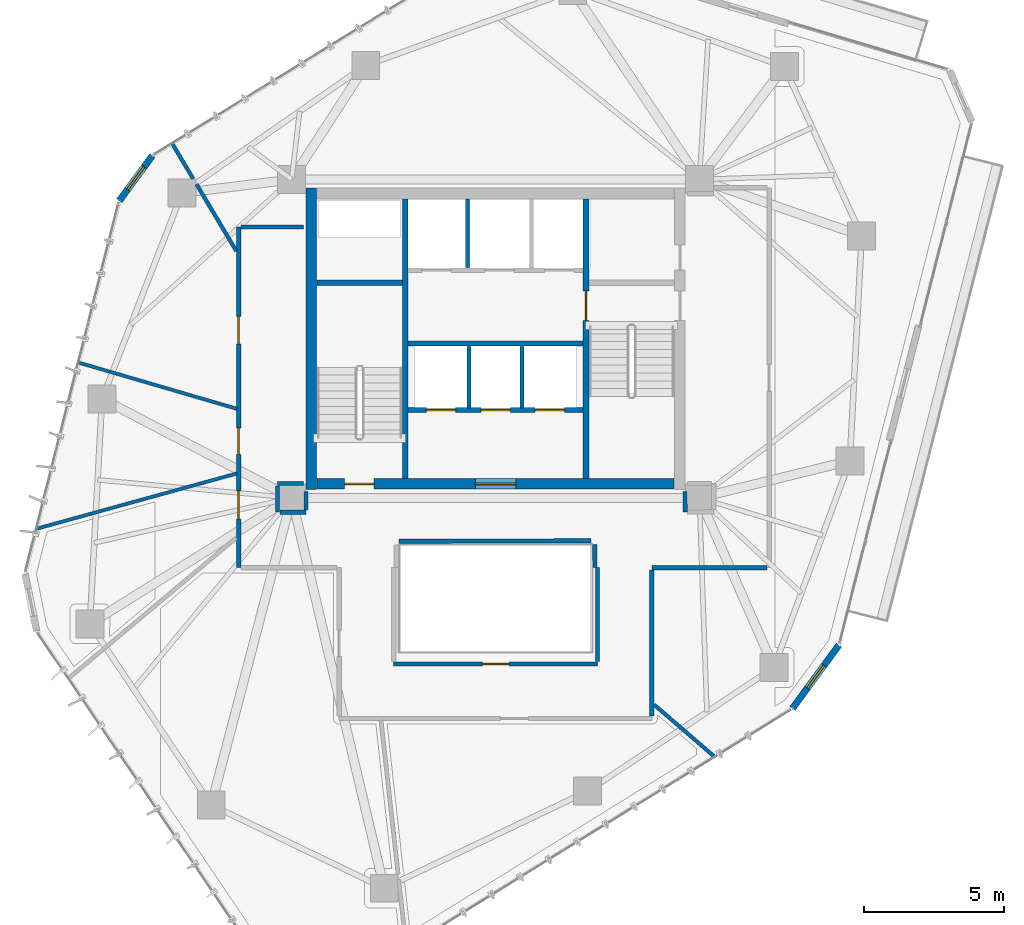
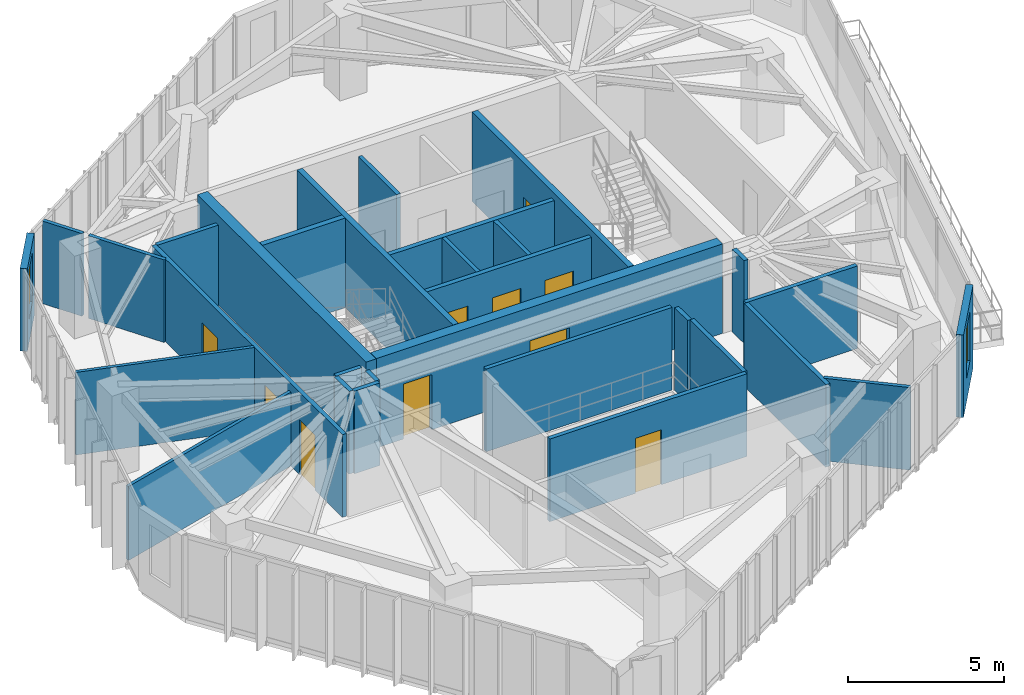
# One storey, part 16 of 21: 30 walls, 10 doors, 2 windows, 12 openings.
"""IFC4 building model written with IfcOpenShell, lengths in metres."""

from ifc_helpers import new_model, si_unit, direction, frame, frame_2d, origin, place, context, subcontext, project, spatial, rectangle, extrude, source, transform, mapped, material, layer, layer_set, type_object, type_shapes, element, fill, save


model = new_model("IFC4")

# Units and contexts
model_context = context("Model", 3, precision=1e-05, world=origin(), true_north=direction((0.0, 1.0)))
body_context = subcontext(model_context, "Body", "Model", "MODEL_VIEW")
ifc_project = project(units=[si_unit("LENGTHUNIT", "METRE"), si_unit("AREAUNIT", "SQUARE_METRE"), si_unit("VOLUMEUNIT", "CUBIC_METRE"), si_unit("PLANEANGLEUNIT", "RADIAN"), si_unit("MASSUNIT", "GRAM", prefix="KILO")], contexts=[model_context])

# Site, building, storey
site_placement = place(None, origin())
site = spatial("IfcSite", under=ifc_project, at=site_placement, CompositionType="ELEMENT")
building_placement = place(site_placement, origin())
building = spatial("IfcBuilding", under=site, at=building_placement, Name="Talar Marvaseh", CompositionType="ELEMENT")
storey_placement = place(building_placement, frame((0.0, 0.0, 184.5)))
storey = spatial("IfcBuildingStorey", under=building, at=storey_placement, Name="L48", CompositionType="ELEMENT", Elevation=184.5)

# Wall, opening, window
ifc_material_1 = material(Name="Precast concrete C45/55", Category="concrete")
ifc_layer_1 = layer(ifc_material_1, 0.239990234375)
ifc_layer_set_1 = layer_set([ifc_layer_1], Name="Precast concrete C45/55")
wall_type_1 = type_object("IfcWallType", Name="Chamfered Hexagonal Corner Pier Wall Z3 240", PredefinedType="SOLIDWALL", material=ifc_layer_set_1)
wall_1_placement = place(storey_placement, frame((12.524658203125, 36.138671875, 0.0), z_axis=(0.0, 0.0, 1.0), x_axis=(0.591384799508, 0.806389495784, 0.0)))
wall_1 = element("IfcWall", 1, at=wall_1_placement, inside=storey, type_object=wall_type_1, Name="L48 Chamfered Corner Limestone Pier 3", PredefinedType="SOLIDWALL", context=body_context, shape_type="SweptSolid", body=[
    extrude(rectangle(XDim=2.0029296875, YDim=0.239990234375, at=frame_2d((1.00146484375, 0.0))), origin(), (0.0, 0.0, 1.0), 3.22998046875),
])
opening_1_placement = place(wall_1_placement, frame((0.501953125, 0.0, 0.89990234375)))
opening_1 = element("IfcOpeningElement", 2, at=opening_1_placement, cuts=wall_1, Name="Opening WN-CHM10", PredefinedType="OPENING", context=body_context, shape_type="SweptSolid", body=[
    extrude(rectangle(XDim=1.0, YDim=1.949951171875, at=frame_2d((0.5, 0.97509765625))), frame((0.0, 0.1298828125, 0.0), z_axis=(0.0, -1.0, 0.0), x_axis=(1.0, 0.0, 0.0)), (0.0, 0.0, 1.0), 0.260009765625),
])
ifc_material_2 = material(Name="Laminated Low-E Solar Glass", Category="glass")
window_type = type_object("IfcWindowType", Name="Zone 3 Chamfered Corner Slot Window 1000x1950", PartitioningType="SINGLE_PANEL", PredefinedType="WINDOW", material=ifc_material_2)
shared_shape_1 = source(origin(), body_context, "Body", "SweptSolid", [
    extrude(rectangle(XDim=1.0, YDim=1.949951171875, at=frame_2d((0.5, 0.97509765625))), frame((0.0, 0.030029296875, 0.0), z_axis=(0.0, -1.0, 0.0), x_axis=(1.0, 0.0, 0.0)), (0.0, 0.0, 1.0), 0.06005859375),
])
type_shapes(window_type, [shared_shape_1])
window_1_placement = place(opening_1_placement, origin())
window_1 = element("IfcWindow", 3, at=window_1_placement, inside=storey, type_object=window_type, Name="L48 Chamfered Corner Slot Window", OverallHeight=1.949951171875, OverallWidth=1.0, PartitioningType="SINGLE_PANEL", PredefinedType="WINDOW", context=body_context, shape_type="MappedRepresentation", body=[
    mapped(shared_shape_1, transform((0.0, 0.0, 0.0), x_axis=(1.0, 0.0, 0.0), y_axis=(0.0, 1.0, 0.0), z_axis=(0.0, 0.0, 1.0), scale=1.0)),
])
fill(opening_1, window_1)

wall_2_placement = place(storey_placement, frame((38.30029296875, 20.2265625, 0.0), z_axis=(0.0, 0.0, 1.0), x_axis=(-0.591348625249, -0.806416023785, 0.0)))
wall_2 = element("IfcWall", 4, at=wall_2_placement, inside=storey, type_object=wall_type_1, Name="L48 Chamfered Corner Limestone Pier 6", PredefinedType="SOLIDWALL", context=body_context, shape_type="SweptSolid", body=[
    extrude(rectangle(XDim=2.815185546875, YDim=0.239990234375, at=frame_2d((1.40771484375, 0.0))), origin(), (0.0, 0.0, 1.0), 3.22998046875),
])
opening_2_placement = place(wall_2_placement, frame((0.907958984375, 0.0, 0.89990234375)))
opening_2 = element("IfcOpeningElement", 5, at=opening_2_placement, cuts=wall_2, Name="Opening WN-CHM10", PredefinedType="OPENING", context=body_context, shape_type="SweptSolid", body=[
    extrude(rectangle(XDim=1.0, YDim=1.949951171875, at=frame_2d((0.5, 0.97509765625))), frame((0.0, 0.1298828125, 0.0), z_axis=(0.0, -1.0, 0.0), x_axis=(1.0, 0.0, 0.0)), (0.0, 0.0, 1.0), 0.260009765625),
])
window_2_placement = place(opening_2_placement, origin())
window_2 = element("IfcWindow", 6, at=window_2_placement, inside=storey, type_object=window_type, Name="L48 Chamfered Corner Slot Window", OverallHeight=1.949951171875, OverallWidth=1.0, PartitioningType="SINGLE_PANEL", PredefinedType="WINDOW", context=body_context, shape_type="MappedRepresentation", body=[
    mapped(shared_shape_1, transform((0.0, 0.0, 0.0), x_axis=(1.0, 0.0, 0.0), y_axis=(0.0, 1.0, 0.0), z_axis=(0.0, 0.0, 1.0), scale=1.0)),
])
fill(opening_2, window_2)

# Wall, openings, doors
ifc_material_3 = material(Name="Gypsum Board Partition Assembly")
ifc_layer_2 = layer(ifc_material_3, 0.155029296875)
ifc_layer_set_2 = layer_set([ifc_layer_2], Name="Gypsum Board Partition Assembly")
wall_type_2 = type_object("IfcWallType", Name="Corridor Fire-Rated Acoustic Partition 155", PredefinedType="PARTITIONING", material=ifc_layer_set_2)
wall_3_placement = place(storey_placement, frame((16.800048828125, 23.0, 0.0), z_axis=(0.0, 0.0, 1.0), x_axis=(0.0, 1.0, 0.0)))
wall_3 = element("IfcWall", 7, at=wall_3_placement, inside=storey, type_object=wall_type_2, Name="L48 Interior Partition Wall", PredefinedType="PARTITIONING", context=body_context, shape_type="SweptSolid", body=[
    extrude(rectangle(XDim=12.199951171875, YDim=0.155029296875, at=frame_2d((6.10009765625, 0.0))), origin(), (0.0, 0.0, 1.0), 3.22998046875),
])
opening_3_placement = place(wall_3_placement, frame((4.056640625, 0.0, 0.0)))
opening_3 = element("IfcOpeningElement", 8, at=opening_3_placement, cuts=wall_3, Name="Opening DR-WC095", PredefinedType="OPENING", context=body_context, shape_type="SweptSolid", body=[
    extrude(rectangle(XDim=0.949951171875, YDim=2.14990234375, at=frame_2d((0.47509765625, 1.074951171875))), frame((0.0, 0.08740234375, 0.0), z_axis=(0.0, -1.0, 0.0), x_axis=(1.0, 0.0, 0.0)), (0.0, 0.0, 1.0), 0.175048828125),
])
opening_4_placement = place(wall_3_placement, frame((1.746826171875, 0.0, 0.0)))
opening_4 = element("IfcOpeningElement", 9, at=opening_4_placement, cuts=wall_3, Name="Opening DR-RM100", PredefinedType="OPENING", context=body_context, shape_type="SweptSolid", body=[
    extrude(rectangle(XDim=1.0, YDim=2.14990234375, at=frame_2d((0.5, 1.074951171875))), frame((0.0, 0.08740234375, 0.0), z_axis=(0.0, -1.0, 0.0), x_axis=(1.0, 0.0, 0.0)), (0.0, 0.0, 1.0), 0.175048828125),
])
opening_5_placement = place(wall_3_placement, frame((8.001220703125, 0.0, 0.0)))
opening_5 = element("IfcOpeningElement", 10, at=opening_5_placement, cuts=wall_3, Name="Opening DR-RM100", PredefinedType="OPENING", context=body_context, shape_type="SweptSolid", body=[
    extrude(rectangle(XDim=1.0, YDim=2.14990234375, at=frame_2d((0.5, 1.074951171875))), frame((0.0, 0.08740234375, 0.0), z_axis=(0.0, -1.0, 0.0), x_axis=(1.0, 0.0, 0.0)), (0.0, 0.0, 1.0), 0.175048828125),
])
ifc_material_4 = material(Name="Acoustic Engineered Oak Timber", Category="wood")
door_type_1 = type_object("IfcDoorType", Name="Washroom and Service Room Door 950x2150", OperationType="NOTDEFINED", PredefinedType="DOOR", material=ifc_material_4)
shared_shape_2 = source(origin(), body_context, "Body", "SweptSolid", [
    extrude(rectangle(XDim=0.949951171875, YDim=2.14990234375, at=frame_2d((0.47509765625, 1.074951171875))), frame((0.0, 0.02490234375, 0.0), z_axis=(0.0, -1.0, 0.0), x_axis=(1.0, 0.0, 0.0)), (0.0, 0.0, 1.0), 0.050048828125),
])
type_shapes(door_type_1, [shared_shape_2])
door_1_placement = place(opening_3_placement, origin())
door_1 = element("IfcDoor", 11, at=door_1_placement, inside=storey, type_object=door_type_1, Name="L48 Accessible WC Door", OperationType="SINGLE_SWING_LEFT", OverallHeight=2.14990234375, OverallWidth=0.949951171875, PredefinedType="DOOR", context=body_context, shape_type="MappedRepresentation", body=[
    mapped(shared_shape_2, transform((0.0, 0.0, 0.0), x_axis=(1.0, 0.0, 0.0), y_axis=(0.0, 1.0, 0.0), z_axis=(0.0, 0.0, 1.0), scale=1.0)),
])
fill(opening_3, door_1)
door_type_2 = type_object("IfcDoorType", Name="Corridor Fire-Rated Gallery Door 1000x2150", OperationType="NOTDEFINED", PredefinedType="DOOR", material=ifc_material_4)
shared_shape_3 = source(origin(), body_context, "Body", "SweptSolid", [
    extrude(rectangle(XDim=1.0, YDim=2.14990234375, at=frame_2d((0.5, 1.074951171875))), frame((0.0, 0.02490234375, 0.0), z_axis=(0.0, -1.0, 0.0), x_axis=(1.0, 0.0, 0.0)), (0.0, 0.0, 1.0), 0.050048828125),
])
type_shapes(door_type_2, [shared_shape_3])
door_2_placement = place(opening_4_placement, origin())
door_2 = element("IfcDoor", 12, at=door_2_placement, inside=storey, type_object=door_type_2, Name="L48 Seminar Room Door", OperationType="SINGLE_SWING_RIGHT", OverallHeight=2.14990234375, OverallWidth=1.0, PredefinedType="DOOR", context=body_context, shape_type="MappedRepresentation", body=[
    mapped(shared_shape_3, transform((0.0, 0.0, 0.0), x_axis=(1.0, 0.0, 0.0), y_axis=(0.0, 1.0, 0.0), z_axis=(0.0, 0.0, 1.0), scale=1.0)),
])
fill(opening_4, door_2)
door_3_placement = place(opening_5_placement, origin())
door_3 = element("IfcDoor", 13, at=door_3_placement, inside=storey, type_object=door_type_2, Name="L48 Conservation Briefing Room Door", OperationType="SINGLE_SWING_LEFT", OverallHeight=2.14990234375, OverallWidth=1.0, PredefinedType="DOOR", context=body_context, shape_type="MappedRepresentation", body=[
    mapped(shared_shape_3, transform((0.0, 0.0, 0.0), x_axis=(1.0, 0.0, 0.0), y_axis=(0.0, 1.0, 0.0), z_axis=(0.0, 0.0, 1.0), scale=1.0)),
])
fill(opening_5, door_3)

# Wall, opening, door
wall_4_placement = place(storey_placement, frame((22.35009765625, 19.550048828125, 0.0), z_axis=(0.0, 0.0, 1.0), x_axis=(1.0, 0.0, 0.0)))
wall_4 = element("IfcWall", 14, at=wall_4_placement, inside=storey, type_object=wall_type_2, Name="L48 Interior Partition Wall", PredefinedType="PARTITIONING", context=body_context, shape_type="SweptSolid", body=[
    extrude(rectangle(XDim=7.2998046875, YDim=0.155029296875, at=frame_2d((3.64990234375, 0.0))), origin(), (0.0, 0.0, 1.0), 3.22998046875),
])
opening_6_placement = place(wall_4_placement, frame((3.175048828125, 0.0, 0.0)))
opening_6 = element("IfcOpeningElement", 15, at=opening_6_placement, cuts=wall_4, Name="Opening DR-WC095", PredefinedType="OPENING", context=body_context, shape_type="SweptSolid", body=[
    extrude(rectangle(XDim=0.949951171875, YDim=2.14990234375, at=frame_2d((0.47509765625, 1.074951171875))), frame((0.0, 0.08740234375, 0.0), z_axis=(0.0, -1.0, 0.0), x_axis=(1.0, 0.0, 0.0)), (0.0, 0.0, 1.0), 0.175048828125),
])
door_4_placement = place(opening_6_placement, origin())
door_4 = element("IfcDoor", 16, at=door_4_placement, inside=storey, type_object=door_type_1, Name="L48 WC Public Washrooms Door", OperationType="SINGLE_SWING_RIGHT", OverallHeight=2.14990234375, OverallWidth=0.949951171875, PredefinedType="DOOR", context=body_context, shape_type="MappedRepresentation", body=[
    mapped(shared_shape_2, transform((0.0, 0.0, 0.0), x_axis=(1.0, 0.0, 0.0), y_axis=(0.0, 1.0, 0.0), z_axis=(0.0, 0.0, 1.0), scale=1.0)),
])
fill(opening_6, door_4)

# Walls
wall_5_placement = place(storey_placement, frame((16.883544921875, 35.199951171875, 0.0), z_axis=(0.0, 0.0, 1.0), x_axis=(1.0, 0.0, 0.0)))
element("IfcWall", 17, at=wall_5_placement, inside=storey, type_object=wall_type_2, Name="L48 Interior Partition Wall", PredefinedType="PARTITIONING", context=body_context, shape_type="SweptSolid", body=[
    extrude(rectangle(XDim=2.246337890625, YDim=0.155029296875, at=frame_2d((1.123046875, 0.0))), origin(), (0.0, 0.0, 1.0), 3.22998046875),
])
wall_6_placement = place(storey_placement, frame((19.1298828125, 26.0146484375, 0.0), z_axis=(0.0, 0.0, 1.0), x_axis=(-0.99999026157, -0.004413248818, 0.0)))
element("IfcWall", 18, at=wall_6_placement, inside=storey, type_object=wall_type_2, Name="L48 Interior Partition Wall", PredefinedType="PARTITIONING", context=body_context, shape_type="SweptSolid", body=[
    extrude(rectangle(XDim=0.9404296875, YDim=0.155029296875, at=frame_2d((0.47021484375, 0.0))), origin(), (0.0, 0.0, 1.0), 3.22998046875),
])
wall_7_placement = place(storey_placement, frame((18.189697265625, 25.927001953125, 0.0), z_axis=(0.0, 0.0, 1.0), x_axis=(0.002078997586, -0.999997838882, 0.0)))
element("IfcWall", 19, at=wall_7_placement, inside=storey, type_object=wall_type_2, Name="L48 Interior Partition Wall", PredefinedType="PARTITIONING", context=body_context, shape_type="SweptSolid", body=[
    extrude(rectangle(XDim=0.939453125, YDim=0.155029296875, at=frame_2d((0.4697265625, 0.0))), origin(), (0.0, 0.0, 1.0), 3.22998046875),
])
wall_8_placement = place(storey_placement, frame((18.275146484375, 24.987548828125, 0.0), z_axis=(0.0, 0.0, 1.0), x_axis=(0.999999692748, 0.0007839036, 0.0)))
element("IfcWall", 20, at=wall_8_placement, inside=storey, type_object=wall_type_2, Name="L48 Interior Partition Wall", PredefinedType="PARTITIONING", context=body_context, shape_type="SweptSolid", body=[
    extrude(rectangle(XDim=0.934326171875, YDim=0.155029296875, at=frame_2d((0.46728515625, 0.0))), origin(), (0.0, 0.0, 1.0), 3.22998046875),
])
wall_9_placement = place(storey_placement, frame((19.210205078125, 25.072021484375, 0.0), z_axis=(0.0, 0.0, 1.0), x_axis=(0.007420945932, 0.999972464402, 0.0)))
element("IfcWall", 21, at=wall_9_placement, inside=storey, type_object=wall_type_2, Name="L48 Interior Partition Wall", PredefinedType="PARTITIONING", context=body_context, shape_type="SweptSolid", body=[
    extrude(rectangle(XDim=0.657958984375, YDim=0.155029296875, at=frame_2d((0.3291015625, 0.0))), origin(), (0.0, 0.0, 1.0), 3.22998046875),
])
wall_10_placement = place(storey_placement, frame((32.784912109375, 25.72998046875, 0.0), z_axis=(0.0, 0.0, 1.0), x_axis=(0.007570553288, -0.999971342951, 0.0)))
element("IfcWall", 22, at=wall_10_placement, inside=storey, type_object=wall_type_2, Name="L48 Interior Partition Wall", PredefinedType="PARTITIONING", context=body_context, shape_type="SweptSolid", body=[
    extrude(rectangle(XDim=0.74169921875, YDim=0.155029296875, at=frame_2d((0.370849609375, 0.0))), origin(), (0.0, 0.0, 1.0), 3.22998046875),
])
wall_11_placement = place(storey_placement, frame((35.716552734375, 23.0, 0.0), z_axis=(0.0, 0.0, 1.0), x_axis=(-1.0, 0.0, 0.0)))
element("IfcWall", 23, at=wall_11_placement, inside=storey, type_object=wall_type_2, Name="L48 Interior Partition Wall", PredefinedType="PARTITIONING", context=body_context, shape_type="SweptSolid", body=[
    extrude(rectangle(XDim=4.116455078125, YDim=0.155029296875, at=frame_2d((2.05810546875, 0.0))), origin(), (0.0, 0.0, 1.0), 3.22998046875),
])
wall_12_placement = place(storey_placement, frame((31.60009765625, 22.91650390625, 0.0), z_axis=(0.0, 0.0, 1.0), x_axis=(0.0, -1.0, 0.0)))
element("IfcWall", 24, at=wall_12_placement, inside=storey, type_object=wall_type_2, Name="L48 Interior Partition Wall", PredefinedType="PARTITIONING", context=body_context, shape_type="SweptSolid", body=[
    extrude(rectangle(XDim=5.23291015625, YDim=0.155029296875, at=frame_2d((2.616455078125, 0.0))), origin(), (0.0, 0.0, 1.0), 3.22998046875),
])
wall_13_placement = place(storey_placement, frame((29.415771484375, 23.959228515625, 0.0), z_axis=(0.0, 0.0, 1.0), x_axis=(-0.999998607957, -0.001668557745, 0.0)))
element("IfcWall", 25, at=wall_13_placement, inside=storey, type_object=wall_type_2, Name="L48 Interior Partition Wall", PredefinedType="PARTITIONING", context=body_context, shape_type="SweptSolid", body=[
    extrude(rectangle(XDim=6.876953125, YDim=0.155029296875, at=frame_2d((3.4384765625, 0.0))), origin(), (0.0, 0.0, 1.0), 3.22998046875),
])
wall_14_placement = place(storey_placement, frame((29.64990234375, 19.633544921875, 0.0), z_axis=(0.0, 0.0, 1.0), x_axis=(0.0, 1.0, 0.0)))
element("IfcWall", 26, at=wall_14_placement, inside=storey, type_object=wall_type_2, Name="L48 Interior Partition Wall", PredefinedType="PARTITIONING", context=body_context, shape_type="SweptSolid", body=[
    extrude(rectangle(XDim=3.366455078125, YDim=0.155029296875, at=frame_2d((1.68310546875, 0.0))), origin(), (0.0, 0.0, 1.0), 3.22998046875),
])
wall_15_placement = place(storey_placement, frame((29.56005859375, 23.0, 0.0), z_axis=(0.0, 0.0, 1.0), x_axis=(-0.003817887006, 0.999992711843, 0.0)))
element("IfcWall", 27, at=wall_15_placement, inside=storey, type_object=wall_type_2, Name="L48 Interior Partition Wall", PredefinedType="PARTITIONING", context=body_context, shape_type="SweptSolid", body=[
    extrude(rectangle(XDim=0.831298828125, YDim=0.155029296875, at=frame_2d((0.41552734375, 0.0))), origin(), (0.0, 0.0, 1.0), 3.22998046875),
])
ifc_layer_3 = layer(ifc_material_3, 0.1201171875)
ifc_layer_set_3 = layer_set([ifc_layer_3], Name="Gypsum Board Partition Assembly")
wall_type_3 = type_object("IfcWallType", Name="Demountable Studio Room Partition 120", PredefinedType="PARTITIONING", material=ifc_layer_set_3)
wall_16_placement = place(storey_placement, frame((16.7373046875, 26.372802734375, 0.0), z_axis=(0.0, 0.0, 1.0), x_axis=(-0.963964727763, -0.26603008031, 0.0)))
element("IfcWall", 28, at=wall_16_placement, inside=storey, type_object=wall_type_3, Name="L48 Interior Partition Wall", PredefinedType="PARTITIONING", context=body_context, shape_type="SweptSolid", body=[
    extrude(rectangle(XDim=7.429931640625, YDim=0.1201171875, at=frame_2d((3.71484375, 0.0))), origin(), (0.0, 0.0, 1.0), 2.89208984375),
])
wall_17_placement = place(storey_placement, frame((11.08056640625, 30.339599609375, 0.0), z_axis=(0.0, 0.0, 1.0), x_axis=(0.959935478932, -0.280221120344, 0.0)))
element("IfcWall", 29, at=wall_17_placement, inside=storey, type_object=wall_type_3, Name="L48 Interior Partition Wall", PredefinedType="PARTITIONING", context=body_context, shape_type="SweptSolid", body=[
    extrude(rectangle(XDim=5.89306640625, YDim=0.1201171875, at=frame_2d((2.946533203125, 0.0))), origin(), (0.0, 0.0, 1.0), 3.22998046875),
])
ifc_layer_4 = layer(ifc_material_1, 0.14501953125)
ifc_layer_set_4 = layer_set([ifc_layer_4], Name="Precast concrete C45/55")
wall_type_4 = type_object("IfcWallType", Name="Fire-Rated Lift Divider Wall 145", PredefinedType="SOLIDWALL", material=ifc_layer_set_4)
wall_18_placement = place(storey_placement, frame((25.0, 33.743408203125, 0.0), z_axis=(0.0, 0.0, 1.0), x_axis=(0.0, 1.0, 0.0)))
element("IfcWall", 30, at=wall_18_placement, inside=storey, type_object=wall_type_4, Name="L48 FFL-1/FFL-2 Divider", PredefinedType="SOLIDWALL", context=body_context, shape_type="SweptSolid", body=[
    extrude(rectangle(XDim=2.45654296875, YDim=0.14501953125, at=frame_2d((1.228271484375, 0.0))), origin(), (0.0, 0.0, 1.0), 3.22998046875),
])
for number, where, z_axis, x_axis, name in (
    (31, (25.050048828125, 28.719970703125, 0.0), (0.0, 0.0, 1.0), (0.0, 1.0, 0.0), "L48 PL-H1/PL-H2 Divider"),
    (32, (26.949951171875, 28.719970703125, 0.0), (0.0, 0.0, 1.0), (0.0, 1.0, 0.0), "L48 PL-H2/PL-H3 Divider"),
):
    element("IfcWall", number, at=place(storey_placement, frame(where, z_axis=z_axis, x_axis=x_axis)), inside=storey, type_object=wall_type_4, Name=name, PredefinedType="SOLIDWALL", context=body_context, shape_type="SweptSolid", body=[
        extrude(rectangle(XDim=2.20654296875, YDim=0.14501953125, at=frame_2d((1.103271484375, 0.0))), origin(), (0.0, 0.0, 1.0), 3.22998046875),
    ])
ifc_layer_5 = layer(ifc_material_1, 0.175048828125)
ifc_layer_set_5 = layer_set([ifc_layer_5], Name="Precast concrete C45/55")
wall_type_5 = type_object("IfcWallType", Name="Fire-Rated Lift Hoistway Enclosure Wall 175", PredefinedType="SOLIDWALL", material=ifc_layer_set_5)
wall_19_placement = place(storey_placement, frame((22.860107421875, 31.02001953125, 0.0), z_axis=(0.0, 0.0, 1.0), x_axis=(1.0, 0.0, 0.0)))
element("IfcWall", 33, at=wall_19_placement, inside=storey, type_object=wall_type_5, Name="L48 Firefighting Lobby South Smoke Wall", PredefinedType="SOLIDWALL", context=body_context, shape_type="SweptSolid", body=[
    extrude(rectangle(XDim=6.27978515625, YDim=0.175048828125, at=frame_2d((3.139892578125, 0.0))), origin(), (0.0, 0.0, 1.0), 3.22998046875),
])

# Wall, openings, doors
wall_20_placement = place(storey_placement, frame((22.860107421875, 28.639892578125, 0.0), z_axis=(0.0, 0.0, 1.0), x_axis=(1.0, 0.0, 0.0)))
wall_20 = element("IfcWall", 34, at=wall_20_placement, inside=storey, type_object=wall_type_5, Name="L48 High-Rise Lift Bank Front Wall", PredefinedType="SOLIDWALL", context=body_context, shape_type="SweptSolid", body=[
    extrude(rectangle(XDim=6.27978515625, YDim=0.175048828125, at=frame_2d((3.139892578125, 0.0))), origin(), (0.0, 0.0, 1.0), 3.22998046875),
])
opening_7_placement = place(wall_20_placement, frame((0.659912109375, 0.0, 0.0)))
opening_7 = element("IfcOpeningElement", 35, at=opening_7_placement, cuts=wall_20, Name="Opening LD-PLH1", PredefinedType="OPENING", context=body_context, shape_type="SweptSolid", body=[
    extrude(rectangle(XDim=1.050048828125, YDim=2.14990234375, at=frame_2d((0.52490234375, 1.074951171875))), frame((0.0, 0.09765625, 0.0), z_axis=(0.0, -1.0, 0.0), x_axis=(1.0, 0.0, 0.0)), (0.0, 0.0, 1.0), 0.195068359375),
])
opening_8_placement = place(wall_20_placement, frame((2.6201171875, 0.0, 0.0)))
opening_8 = element("IfcOpeningElement", 36, at=opening_8_placement, cuts=wall_20, Name="Opening LD-PLH2", PredefinedType="OPENING", context=body_context, shape_type="SweptSolid", body=[
    extrude(rectangle(XDim=1.050048828125, YDim=2.14990234375, at=frame_2d((0.52490234375, 1.074951171875))), frame((0.0, 0.09765625, 0.0), z_axis=(0.0, -1.0, 0.0), x_axis=(1.0, 0.0, 0.0)), (0.0, 0.0, 1.0), 0.195068359375),
])
opening_9_placement = place(wall_20_placement, frame((4.56005859375, 0.0, 0.0)))
opening_9 = element("IfcOpeningElement", 37, at=opening_9_placement, cuts=wall_20, Name="Opening LD-PLH3", PredefinedType="OPENING", context=body_context, shape_type="SweptSolid", body=[
    extrude(rectangle(XDim=1.050048828125, YDim=2.14990234375, at=frame_2d((0.52490234375, 1.074951171875))), frame((0.0, 0.09765625, 0.0), z_axis=(0.0, -1.0, 0.0), x_axis=(1.0, 0.0, 0.0)), (0.0, 0.0, 1.0), 0.195068359375),
])
ifc_material_5 = material(Name="Stainless Steel Grade 316", Category="steel")
door_type_3 = type_object("IfcDoorType", Name="Automatic Sliding Lift Landing Door 1050x2150", OperationType="NOTDEFINED", PredefinedType="DOOR", material=ifc_material_5)
shared_shape_4 = source(origin(), body_context, "Body", "SweptSolid", [
    extrude(rectangle(XDim=1.050048828125, YDim=2.14990234375, at=frame_2d((0.52490234375, 1.074951171875))), frame((0.0, 0.02490234375, 0.0), z_axis=(0.0, -1.0, 0.0), x_axis=(1.0, 0.0, 0.0)), (0.0, 0.0, 1.0), 0.050048828125),
])
type_shapes(door_type_3, [shared_shape_4])
door_5_placement = place(opening_7_placement, origin())
door_5 = element("IfcDoor", 38, at=door_5_placement, inside=storey, type_object=door_type_3, Name="L48 Lift PL-H1 Sliding Landing Door", OperationType="SLIDING_TO_LEFT", OverallHeight=2.14990234375, OverallWidth=1.050048828125, PredefinedType="DOOR", context=body_context, shape_type="MappedRepresentation", body=[
    mapped(shared_shape_4, transform((0.0, 0.0, 0.0), x_axis=(1.0, 0.0, 0.0), y_axis=(0.0, 1.0, 0.0), z_axis=(0.0, 0.0, 1.0), scale=1.0)),
])
fill(opening_7, door_5)
door_6_placement = place(opening_8_placement, origin())
door_6 = element("IfcDoor", 39, at=door_6_placement, inside=storey, type_object=door_type_3, Name="L48 Lift PL-H2 Sliding Landing Door", OperationType="SLIDING_TO_LEFT", OverallHeight=2.14990234375, OverallWidth=1.050048828125, PredefinedType="DOOR", context=body_context, shape_type="MappedRepresentation", body=[
    mapped(shared_shape_4, transform((0.0, 0.0, 0.0), x_axis=(1.0, 0.0, 0.0), y_axis=(0.0, 1.0, 0.0), z_axis=(0.0, 0.0, 1.0), scale=1.0)),
])
fill(opening_8, door_6)
door_7_placement = place(opening_9_placement, origin())
door_7 = element("IfcDoor", 40, at=door_7_placement, inside=storey, type_object=door_type_3, Name="L48 Lift PL-H3 Sliding Landing Door", OperationType="SLIDING_TO_LEFT", OverallHeight=2.14990234375, OverallWidth=1.050048828125, PredefinedType="DOOR", context=body_context, shape_type="MappedRepresentation", body=[
    mapped(shared_shape_4, transform((0.0, 0.0, 0.0), x_axis=(1.0, 0.0, 0.0), y_axis=(0.0, 1.0, 0.0), z_axis=(0.0, 0.0, 1.0), scale=1.0)),
])
fill(opening_9, door_7)

# Walls
ifc_layer_6 = layer(ifc_material_3, 0.135009765625)
ifc_layer_set_6 = layer_set([ifc_layer_6], Name="Gypsum Board Partition Assembly")
wall_type_6 = type_object("IfcWallType", Name="Gallery High-Acoustic Partition 135", PredefinedType="PARTITIONING", material=ifc_layer_set_6)
wall_21_placement = place(storey_placement, frame((31.68359375, 18.088134765625, 0.0), z_axis=(0.0, 0.0, 1.0), x_axis=(0.757689409036, -0.652615322709, 0.0)))
element("IfcWall", 41, at=wall_21_placement, inside=storey, type_object=wall_type_6, Name="L48 Interior Partition Wall", PredefinedType="PARTITIONING", context=body_context, shape_type="SweptSolid", body=[
    extrude(rectangle(XDim=2.830078125, YDim=0.135009765625, at=frame_2d((1.4150390625, 0.0))), origin(), (0.0, 0.0, 1.0), 3.22998046875),
])
wall_22_placement = place(storey_placement, frame((16.716552734375, 34.33984375, 0.0), z_axis=(0.0, 0.0, 1.0), x_axis=(-0.512495063341, 0.858690171163, 0.0)))
element("IfcWall", 42, at=wall_22_placement, inside=storey, type_object=wall_type_6, Name="L48 Interior Partition Wall", PredefinedType="PARTITIONING", context=body_context, shape_type="SweptSolid", body=[
    extrude(rectangle(XDim=2.783447265625, YDim=0.135009765625, at=frame_2d((1.3916015625, 0.0))), origin(), (0.0, 0.0, 1.0), 3.22998046875),
])
wall_23_placement = place(storey_placement, frame((15.169921875, 36.929931640625, 0.0), z_axis=(0.0, 0.0, 1.0), x_axis=(-0.512088465885, 0.85893271163, 0.0)))
element("IfcWall", 43, at=wall_23_placement, inside=storey, type_object=wall_type_6, Name="L48 Interior Partition Wall", PredefinedType="PARTITIONING", context=body_context, shape_type="SweptSolid", body=[
    extrude(rectangle(XDim=1.447998046875, YDim=0.135009765625, at=frame_2d((0.72412109375, 0.0))), origin(), (0.0, 0.0, 1.0), 3.22998046875),
])
ifc_material_6 = material(Name="Concrete C60/75", Category="concrete")
ifc_layer_7 = layer(ifc_material_6, 0.3798828125)
ifc_layer_set_7 = layer_set([ifc_layer_7], Name="Concrete C60/75")
wall_type_7 = type_object("IfcWallType", Name="Mid Core Reinforced Concrete Shear Wall 380", PredefinedType="SHEAR", material=ifc_layer_set_7)
wall_24_placement = place(storey_placement, frame((19.39990234375, 25.800048828125, 0.0), z_axis=(0.0, 0.0, 1.0), x_axis=(0.0, 1.0, 0.0)))
element("IfcWall", 44, at=wall_24_placement, inside=storey, type_object=wall_type_7, Name="L48 West Core Shear Wall", PredefinedType="SHEAR", context=body_context, shape_type="SweptSolid", body=[
    extrude(rectangle(XDim=10.800048828125, YDim=0.3798828125, at=frame_2d((5.39990234375, 0.0))), origin(), (0.0, 0.0, 1.0), 3.5),
])

# Wall, openings, doors
wall_25_placement = place(storey_placement, frame((32.39990234375, 26.0, 0.0), z_axis=(0.0, 0.0, 1.0), x_axis=(-1.0, 0.0, 0.0)))
wall_25 = element("IfcWall", 45, at=wall_25_placement, inside=storey, type_object=wall_type_7, Name="L48 South Core Shear Wall", PredefinedType="SHEAR", context=body_context, shape_type="SweptSolid", body=[
    extrude(rectangle(XDim=12.7998046875, YDim=0.3798828125, at=frame_2d((6.39990234375, 0.0))), origin(), (0.0, 0.0, 1.0), 3.5),
])
opening_10_placement = place(wall_25_placement, frame((10.75, 0.0, 0.0)))
opening_10 = element("IfcOpeningElement", 46, at=opening_10_placement, cuts=wall_25, Name="Opening DR-ST105", PredefinedType="OPENING", context=body_context, shape_type="SweptSolid", body=[
    extrude(rectangle(XDim=1.050048828125, YDim=2.14990234375, at=frame_2d((0.52490234375, 1.074951171875))), frame((0.0, 0.199951171875, 0.0), z_axis=(0.0, -1.0, 0.0), x_axis=(1.0, 0.0, 0.0)), (0.0, 0.0, 1.0), 0.39990234375),
])
opening_11_placement = place(wall_25_placement, frame((5.669921875, 0.0, 0.0)))
opening_11 = element("IfcOpeningElement", 47, at=opening_11_placement, cuts=wall_25, Name="Opening DR-LBY145", PredefinedType="OPENING", context=body_context, shape_type="SweptSolid", body=[
    extrude(rectangle(XDim=1.449951171875, YDim=2.199951171875, at=frame_2d((0.72509765625, 1.10009765625))), frame((0.0, 0.199951171875, 0.0), z_axis=(0.0, -1.0, 0.0), x_axis=(1.0, 0.0, 0.0)), (0.0, 0.0, 1.0), 0.39990234375),
])
ifc_material_7 = material(Name="Fire-Rated Steel Door Leaf", Category="steel")
door_type_4 = type_object("IfcDoorType", Name="Protected Exit Stair Fire Door 1050x2150", OperationType="NOTDEFINED", PredefinedType="DOOR", material=ifc_material_7)
shared_shape_5 = source(origin(), body_context, "Body", "SweptSolid", [
    extrude(rectangle(XDim=1.050048828125, YDim=2.14990234375, at=frame_2d((0.52490234375, 1.074951171875))), frame((0.0, 0.02490234375, 0.0), z_axis=(0.0, -1.0, 0.0), x_axis=(1.0, 0.0, 0.0)), (0.0, 0.0, 1.0), 0.050048828125),
])
type_shapes(door_type_4, [shared_shape_5])
door_8_placement = place(opening_10_placement, origin())
door_8 = element("IfcDoor", 48, at=door_8_placement, inside=storey, type_object=door_type_4, Name="L48 Stair ST-1 Exit Door", OperationType="SINGLE_SWING_RIGHT", OverallHeight=2.14990234375, OverallWidth=1.050048828125, PredefinedType="DOOR", context=body_context, shape_type="MappedRepresentation", body=[
    mapped(shared_shape_5, transform((0.0, 0.0, 0.0), x_axis=(1.0, 0.0, 0.0), y_axis=(0.0, 1.0, 0.0), z_axis=(0.0, 0.0, 1.0), scale=1.0)),
])
fill(opening_10, door_8)
door_type_5 = type_object("IfcDoorType", Name="Core Lift Lobby Double Smoke Door 1450x2200", OperationType="NOTDEFINED", PredefinedType="DOOR", material=ifc_material_7)
shared_shape_6 = source(origin(), body_context, "Body", "SweptSolid", [
    extrude(rectangle(XDim=1.449951171875, YDim=2.199951171875, at=frame_2d((0.72509765625, 1.10009765625))), frame((0.0, 0.02490234375, 0.0), z_axis=(0.0, -1.0, 0.0), x_axis=(1.0, 0.0, 0.0)), (0.0, 0.0, 1.0), 0.050048828125),
])
type_shapes(door_type_5, [shared_shape_6])
door_9_placement = place(opening_11_placement, origin())
door_9 = element("IfcDoor", 49, at=door_9_placement, inside=storey, type_object=door_type_5, Name="L48 Passenger Lift Lobby Entrance Door", OperationType="DOUBLE_DOOR_SINGLE_SWING", OverallHeight=2.199951171875, OverallWidth=1.449951171875, PredefinedType="DOOR", context=body_context, shape_type="MappedRepresentation", body=[
    mapped(shared_shape_6, transform((0.0, 0.0, 0.0), x_axis=(1.0, 0.0, 0.0), y_axis=(0.0, 1.0, 0.0), z_axis=(0.0, 0.0, 1.0), scale=1.0)),
])
fill(opening_11, door_9)

# Wall
ifc_material_8 = material(Name="Concrete C50/60", Category="concrete")
ifc_layer_8 = layer(ifc_material_8, 0.199951171875)
ifc_layer_set_8 = layer_set([ifc_layer_8], Name="Concrete C50/60")
wall_type_8 = type_object("IfcWallType", Name="Stair Shaft Structural Concrete Shear Wall 200", PredefinedType="SHEAR", material=ifc_layer_set_8)
wall_26_placement = place(storey_placement, frame((22.760009765625, 26.199951171875, 0.0), z_axis=(0.0, 0.0, 1.0), x_axis=(0.0, 1.0, 0.0)))
element("IfcWall", 50, at=wall_26_placement, inside=storey, type_object=wall_type_8, Name="L48 Core West Stair Shear Wall", PredefinedType="SHEAR", context=body_context, shape_type="SweptSolid", body=[
    extrude(rectangle(XDim=10.0, YDim=0.199951171875, at=frame_2d((5.0, 0.0))), origin(), (0.0, 0.0, 1.0), 3.5),
])

# Wall, opening, door
wall_27_placement = place(storey_placement, frame((29.239990234375, 26.199951171875, 0.0), z_axis=(0.0, 0.0, 1.0), x_axis=(0.0, 1.0, 0.0)))
wall_27 = element("IfcWall", 51, at=wall_27_placement, inside=storey, type_object=wall_type_8, Name="L48 Core East Stair Shear Wall", PredefinedType="SHEAR", context=body_context, shape_type="SweptSolid", body=[
    extrude(rectangle(XDim=10.0, YDim=0.199951171875, at=frame_2d((5.0, 0.0))), origin(), (0.0, 0.0, 1.0), 3.5),
])
opening_12_placement = place(wall_27_placement, frame((5.64990234375, 0.0, 0.0)))
opening_12 = element("IfcOpeningElement", 52, at=opening_12_placement, cuts=wall_27, Name="Opening DR-ST105", PredefinedType="OPENING", context=body_context, shape_type="SweptSolid", body=[
    extrude(rectangle(XDim=1.050048828125, YDim=2.14990234375, at=frame_2d((0.52490234375, 1.074951171875))), frame((0.0, 0.10986328125, 0.0), z_axis=(0.0, -1.0, 0.0), x_axis=(1.0, 0.0, 0.0)), (0.0, 0.0, 1.0), 0.219970703125),
])
door_10_placement = place(opening_12_placement, origin())
door_10 = element("IfcDoor", 53, at=door_10_placement, inside=storey, type_object=door_type_4, Name="L48 Firefighting Lobby to Stair ST-2 Door", OperationType="SINGLE_SWING_LEFT", OverallHeight=2.14990234375, OverallWidth=1.050048828125, PredefinedType="DOOR", context=body_context, shape_type="MappedRepresentation", body=[
    mapped(shared_shape_5, transform((0.0, 0.0, 0.0), x_axis=(1.0, 0.0, 0.0), y_axis=(0.0, 1.0, 0.0), z_axis=(0.0, 0.0, 1.0), scale=1.0)),
])
fill(opening_12, door_10)

# Wall
wall_28_placement = place(storey_placement, frame((19.60009765625, 33.199951171875, 0.0), z_axis=(0.0, 0.0, 1.0), x_axis=(1.0, 0.0, 0.0)))
element("IfcWall", 54, at=wall_28_placement, inside=storey, type_object=wall_type_8, Name="L48 Stair ST-1 North Shear Wall", PredefinedType="SHEAR", context=body_context, shape_type="SweptSolid", body=[
    extrude(rectangle(XDim=3.059814453125, YDim=0.199951171875, at=frame_2d((1.52978515625, 0.0))), origin(), (0.0, 0.0, 1.0), 3.5),
])

save(model, "model.ifc")
